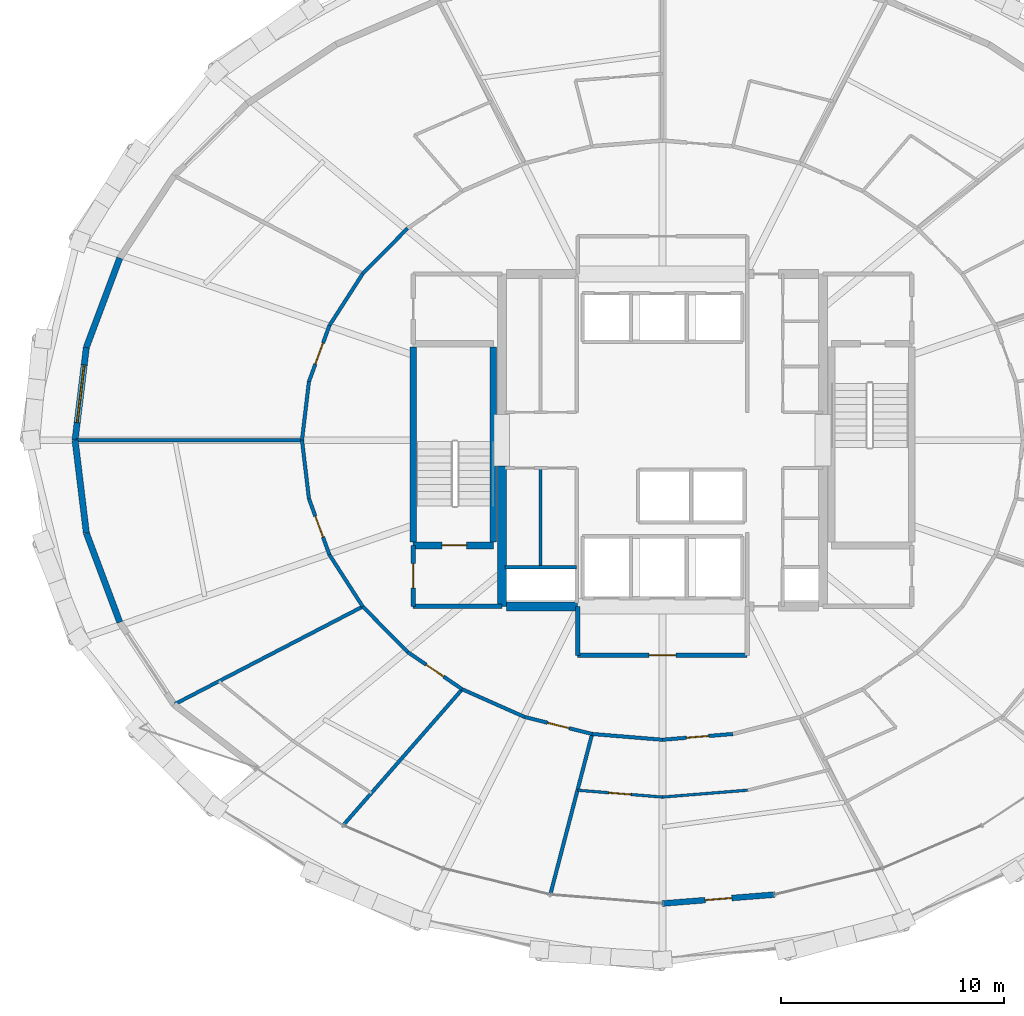
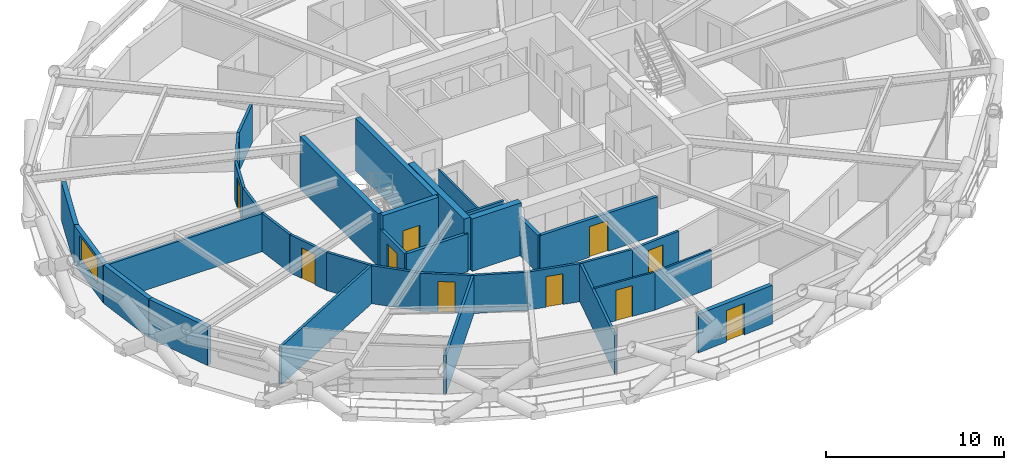
# One storey, part 14 of 20: 35 walls, 10 doors, 1 window, 11 openings.
"""IFC4 building model written with IfcOpenShell, lengths in metres."""

from ifc_helpers import new_model, si_unit, direction, frame, frame_2d, origin, place, context, subcontext, project, spatial, rectangle, extrude, material, layer, layer_set, type_object, element, fill, save


model = new_model("IFC4")

# Units and contexts
model_context = context("Model", 3, precision=1e-05, world=origin(), true_north=direction((0.0, 1.0)))
body_context = subcontext(model_context, "Body", "Model", "MODEL_VIEW")
ifc_project = project(units=[si_unit("LENGTHUNIT", "METRE"), si_unit("AREAUNIT", "SQUARE_METRE"), si_unit("VOLUMEUNIT", "CUBIC_METRE"), si_unit("PLANEANGLEUNIT", "RADIAN"), si_unit("MASSUNIT", "GRAM", prefix="KILO")], contexts=[model_context])

# Site, building, storey
site_placement = place(None, origin())
site = spatial("IfcSite", under=ifc_project, at=site_placement, CompositionType="ELEMENT")
building_placement = place(site_placement, origin())
building = spatial("IfcBuilding", under=site, at=building_placement, Name="Veldorina Hangang Commons", CompositionType="ELEMENT")
storey_placement = place(building_placement, frame((0.0, 0.0, 48.39990234375)))
storey = spatial("IfcBuildingStorey", under=building, at=storey_placement, Name="L11", CompositionType="ELEMENT", Elevation=48.39990234375)

# Walls
ifc_material_1 = material(Name="Concrete C70/85", Category="concrete")
ifc_layer_1 = layer(ifc_material_1, 0.39990234375)
ifc_layer_set_1 = layer_set([ifc_layer_1], Name="Concrete C70/85")
wall_type_1 = type_object("IfcWallType", Name="CW-RC400-C70", PredefinedType="SHEAR", material=ifc_layer_set_1)
wall_1_placement = place(storey_placement, frame((24.800048828125, 16.550048828125, 0.0), z_axis=(0.0, 0.0, 1.0), x_axis=(0.0, 1.0, 0.0)))
element("IfcWall", 1, at=wall_1_placement, inside=storey, type_object=wall_type_1, Name="L11 W south core shear wall", PredefinedType="SHEAR", context=body_context, shape_type="SweptSolid", body=[
    extrude(rectangle(XDim=6.300048828125, YDim=0.39990234375, at=frame_2d((3.14990234375, 0.0))), origin(), (0.0, 0.0, 1.0), 3.60009765625),
])
wall_2_placement = place(storey_placement, frame((25.0, 16.550048828125, 0.0), z_axis=(0.0, 0.0, 1.0), x_axis=(1.0, 0.0, 0.0)))
element("IfcWall", 2, at=wall_2_placement, inside=storey, type_object=wall_type_1, Name="L11 south-west core shear wall", PredefinedType="SHEAR", context=body_context, shape_type="SweptSolid", body=[
    extrude(rectangle(XDim=3.199951171875, YDim=0.39990234375, at=frame_2d((1.60009765625, 0.0))), origin(), (0.0, 0.0, 1.0), 3.60009765625),
])

# Wall, opening, door
ifc_material_2 = material(Name="Stone Roman Travertine", Category="masonry")
ifc_layer_2 = layer(ifc_material_2, 0.260009765625)
ifc_layer_set_2 = layer_set([ifc_layer_2], Name="Stone Roman Travertine")
wall_type_2 = type_object("IfcWallType", Name="EW-LOGGIA-260", PredefinedType="STANDARD", material=ifc_layer_set_2)
wall_3_placement = place(storey_placement, frame((32.0, 3.221923828125, 0.0), z_axis=(0.0, 0.0, 1.0), x_axis=(0.996864786715, 0.079123934476, 0.0)))
wall_3 = element("IfcWall", 3, at=wall_3_placement, inside=storey, type_object=wall_type_2, Name="L11 sky-garden loggia portal wall 24", PredefinedType="STANDARD", context=body_context, shape_type="SweptSolid", body=[
    extrude(rectangle(XDim=5.044921875, YDim=0.260009765625, at=frame_2d((2.5224609375, 0.0))), origin(), (0.0, 0.0, 1.0), 2.650146484375),
])
opening_1_placement = place(wall_3_placement, frame((1.92236328125, 0.0, 0.0)))
opening_1 = element("IfcOpeningElement", 4, at=opening_1_placement, cuts=wall_3, Name="Opening BD-1200", PredefinedType="OPENING", context=body_context, shape_type="SweptSolid", body=[
    extrude(rectangle(XDim=1.199951171875, YDim=2.14990234375, at=frame_2d((0.60009765625, 1.074951171875))), frame((0.0, 0.14013671875, 0.0), z_axis=(0.0, -1.0, 0.0), x_axis=(1.0, 0.0, 0.0)), (0.0, 0.0, 1.0), 0.280029296875),
])
ifc_material_3 = material(Name="Glass Thermal Aluminium Frame", Category="aluminium")
door_type_1 = type_object("IfcDoorType", Name="DR-EXT-LOG1200", OperationType="SINGLE_SWING_LEFT", PredefinedType="DOOR", material=ifc_material_3)
door_1_placement = place(opening_1_placement, origin())
door_1 = element("IfcDoor", 5, at=door_1_placement, inside=storey, type_object=door_type_1, Name="L11 loggia glazed exterior door 24", OperationType="SINGLE_SWING_LEFT", OverallHeight=2.14990234375, OverallWidth=1.199951171875, PredefinedType="DOOR", context=body_context, shape_type="SweptSolid", body=[
    extrude(rectangle(XDim=1.199951171875, YDim=2.14990234375, at=frame_2d((0.60009765625, 1.074951171875))), frame((0.0, 0.02490234375, 0.0), z_axis=(0.0, -1.0, 0.0), x_axis=(1.0, 0.0, 0.0)), (0.0, 0.0, 1.0), 0.050048828125),
])
fill(opening_1, door_1)

# Wall
ifc_layer_3 = layer(ifc_material_2, 0.280029296875)
ifc_layer_set_3 = layer_set([ifc_layer_3], Name="Stone Roman Travertine")
wall_type_3 = type_object("IfcWallType", Name="EW-TRAV-280", PredefinedType="STANDARD", material=ifc_layer_set_3)
wall_4_placement = place(storey_placement, frame((7.6669921875, 32.165771484375, 0.0), z_axis=(0.0, 0.0, 1.0), x_axis=(-0.350647673381, -0.936507452802, 0.0)))
element("IfcWall", 6, at=wall_4_placement, inside=storey, type_object=wall_type_3, Name="L11 travertine facade wall 14", PredefinedType="STANDARD", context=body_context, shape_type="SweptSolid", body=[
    extrude(rectangle(XDim=4.2744140625, YDim=0.280029296875, at=frame_2d((2.13720703125, 0.0))), origin(), (0.0, 0.0, 1.0), 2.650146484375),
])

# Wall, opening, window
wall_5_placement = place(storey_placement, frame((6.168212890625, 28.162841796875, 0.0), z_axis=(0.0, 0.0, 1.0), x_axis=(-0.120687785898, -0.992690514881, 0.0)))
wall_5 = element("IfcWall", 7, at=wall_5_placement, inside=storey, type_object=wall_type_3, Name="L11 travertine facade wall 15", PredefinedType="STANDARD", context=body_context, shape_type="SweptSolid", body=[
    extrude(rectangle(XDim=4.193603515625, YDim=0.280029296875, at=frame_2d((2.0966796875, 0.0))), origin(), (0.0, 0.0, 1.0), 2.650146484375),
])
opening_2_placement = place(wall_5_placement, frame((0.796630859375, 0.0, 0.800048828125)))
opening_2 = element("IfcOpeningElement", 8, at=opening_2_placement, cuts=wall_5, Name="Opening W-02", PredefinedType="OPENING", context=body_context, shape_type="SweptSolid", body=[
    extrude(rectangle(XDim=2.60009765625, YDim=1.64990234375, at=frame_2d((1.300048828125, 0.824951171875))), frame((0.0, 0.14990234375, 0.0), z_axis=(0.0, -1.0, 0.0), x_axis=(1.0, 0.0, 0.0)), (0.0, 0.0, 1.0), 0.300048828125),
])
ifc_material_4 = material(Name="Glass Low-E Triple IGU", Category="glass")
window_type = type_object("IfcWindowType", Name="WIN-TWR-2600", PartitioningType="SINGLE_PANEL", PredefinedType="WINDOW", material=ifc_material_4)
window_placement = place(opening_2_placement, origin())
window = element("IfcWindow", 9, at=window_placement, inside=storey, type_object=window_type, Name="L11 facade window 15", OverallHeight=1.64990234375, OverallWidth=2.60009765625, PartitioningType="SINGLE_PANEL", PredefinedType="WINDOW", context=body_context, shape_type="SweptSolid", body=[
    extrude(rectangle(XDim=2.60009765625, YDim=1.64990234375, at=frame_2d((1.300048828125, 0.824951171875))), frame((0.0, 0.030029296875, 0.0), z_axis=(0.0, -1.0, 0.0), x_axis=(1.0, 0.0, 0.0)), (0.0, 0.0, 1.0), 0.06005859375),
])
fill(opening_2, window)

# Walls
wall_6_placement = place(storey_placement, frame((5.662109375, 24.0, 0.0), z_axis=(0.0, 0.0, 1.0), x_axis=(0.120687785898, -0.992690514881, 0.0)))
element("IfcWall", 10, at=wall_6_placement, inside=storey, type_object=wall_type_3, Name="L11 travertine facade wall 16", PredefinedType="STANDARD", context=body_context, shape_type="SweptSolid", body=[
    extrude(rectangle(XDim=4.193603515625, YDim=0.280029296875, at=frame_2d((2.0966796875, 0.0))), origin(), (0.0, 0.0, 1.0), 2.650146484375),
])
wall_7_placement = place(storey_placement, frame((6.168212890625, 19.837158203125, 0.0), z_axis=(0.0, 0.0, 1.0), x_axis=(0.350647673381, -0.936507452802, 0.0)))
element("IfcWall", 11, at=wall_7_placement, inside=storey, type_object=wall_type_3, Name="L11 travertine facade wall 17", PredefinedType="STANDARD", context=body_context, shape_type="SweptSolid", body=[
    extrude(rectangle(XDim=4.2744140625, YDim=0.280029296875, at=frame_2d((2.13720703125, 0.0))), origin(), (0.0, 0.0, 1.0), 2.650146484375),
])
ifc_material_5 = material(Name="Concrete C50/60", Category="concrete")
ifc_layer_4 = layer(ifc_material_5, 0.300048828125)
ifc_layer_set_4 = layer_set([ifc_layer_4], Name="Concrete C50/60")
wall_type_4 = type_object("IfcWallType", Name="SW-STAIR-300", PredefinedType="SHEAR", material=ifc_layer_set_4)
for number, where, z_axis, x_axis, name in (
    (12, (20.820068359375, 19.429931640625, 0.0), (0.0, 0.0, 1.0), (0.0, 1.0, 0.0), "L11 ST1 outer stair shear wall"),
    (13, (24.419921875, 19.429931640625, 0.0), (0.0, 0.0, 1.0), (0.0, 1.0, 0.0), "L11 ST1 inner stair shear wall"),
):
    element("IfcWall", number, at=place(storey_placement, frame(where, z_axis=z_axis, x_axis=x_axis)), inside=storey, type_object=wall_type_4, Name=name, PredefinedType="SHEAR", context=body_context, shape_type="SweptSolid", body=[
        extrude(rectangle(XDim=8.739990234375, YDim=0.300048828125, at=frame_2d((4.3701171875, 0.0))), origin(), (0.0, 0.0, 1.0), 3.60009765625),
    ])

# Wall, opening, door
wall_8_placement = place(storey_placement, frame((20.820068359375, 19.280029296875, 0.0), z_axis=(0.0, 0.0, 1.0), x_axis=(1.0, 0.0, 0.0)))
wall_8 = element("IfcWall", 14, at=wall_8_placement, inside=storey, type_object=wall_type_4, Name="L11 ST1 south stair shear wall", PredefinedType="SHEAR", context=body_context, shape_type="SweptSolid", body=[
    extrude(rectangle(XDim=3.599853515625, YDim=0.300048828125, at=frame_2d((1.7998046875, 0.0))), origin(), (0.0, 0.0, 1.0), 3.60009765625),
])
opening_3_placement = place(wall_8_placement, frame((1.300048828125, 0.0, 0.0)))
opening_3 = element("IfcOpeningElement", 15, at=opening_3_placement, cuts=wall_8, Name="Opening D-08", PredefinedType="OPENING", context=body_context, shape_type="SweptSolid", body=[
    extrude(rectangle(XDim=1.10009765625, YDim=2.10009765625, at=frame_2d((0.550048828125, 1.050048828125))), frame((0.0, 0.16015625, 0.0), z_axis=(0.0, -1.0, 0.0), x_axis=(1.0, 0.0, 0.0)), (0.0, 0.0, 1.0), 0.320068359375),
])
ifc_material_6 = material(Name="Steel Fire-Rated Smoke Seal", Category="steel")
door_type_2 = type_object("IfcDoorType", Name="DR-FIRE-1100", OperationType="SINGLE_SWING_RIGHT", PredefinedType="DOOR", material=ifc_material_6)
door_2_placement = place(opening_3_placement, origin())
door_2 = element("IfcDoor", 16, at=door_2_placement, inside=storey, type_object=door_type_2, Name="L11 Special Escape Stair ST-1 door", OperationType="SINGLE_SWING_LEFT", OverallHeight=2.10009765625, OverallWidth=1.10009765625, PredefinedType="DOOR", context=body_context, shape_type="SweptSolid", body=[
    extrude(rectangle(XDim=1.10009765625, YDim=2.10009765625, at=frame_2d((0.550048828125, 1.050048828125))), frame((0.0, 0.02490234375, 0.0), z_axis=(0.0, -1.0, 0.0), x_axis=(1.0, 0.0, 0.0)), (0.0, 0.0, 1.0), 0.050048828125),
])
fill(opening_3, door_2)

# Walls
ifc_material_7 = material(Name="Gypsum Fire-Rated Twin Stud Wall", Category="gypsum")
ifc_layer_5 = layer(ifc_material_7, 0.159912109375)
ifc_layer_set_5 = layer_set([ifc_layer_5], Name="Gypsum Fire-Rated Twin Stud Wall")
wall_type_5 = type_object("IfcWallType", Name="WL-FIRE-160", PredefinedType="SOLIDWALL", material=ifc_layer_set_5)
wall_9_placement = place(storey_placement, frame((24.949951171875, 18.300048828125, 0.0), z_axis=(0.0, 0.0, 1.0), x_axis=(1.0, 0.0, 0.0)))
element("IfcWall", 17, at=wall_9_placement, inside=storey, type_object=wall_type_5, Name="L11 Electrical riser wall 035", PredefinedType="SOLIDWALL", context=body_context, shape_type="SweptSolid", body=[
    extrude(rectangle(XDim=3.199951171875, YDim=0.159912109375, at=frame_2d((1.60009765625, 0.0))), origin(), (0.0, 0.0, 1.0), 2.610107421875),
])
wall_10_placement = place(storey_placement, frame((20.57177734375, 33.499267578125, 0.0), z_axis=(0.0, 0.0, 1.0), x_axis=(-0.702569520063, -0.711615113301, 0.0)))
element("IfcWall", 18, at=wall_10_placement, inside=storey, type_object=wall_type_5, Name="L11 Corridor outer wall 12 062", PredefinedType="SOLIDWALL", context=body_context, shape_type="SweptSolid", body=[
    extrude(rectangle(XDim=2.86083984375, YDim=0.159912109375, at=frame_2d((1.430419921875, 0.0))), origin(), (0.0, 0.0, 1.0), 2.610107421875),
])
wall_11_placement = place(storey_placement, frame((18.561767578125, 31.46337890625, 0.0), z_axis=(0.0, 0.0, 1.0), x_axis=(-0.540891657444, -0.841092274907, 0.0)))
element("IfcWall", 19, at=wall_11_placement, inside=storey, type_object=wall_type_5, Name="L11 Corridor outer wall 13 063", PredefinedType="SOLIDWALL", context=body_context, shape_type="SweptSolid", body=[
    extrude(rectangle(XDim=2.760986328125, YDim=0.159912109375, at=frame_2d((1.38037109375, 0.0))), origin(), (0.0, 0.0, 1.0), 2.610107421875),
])

# Wall, opening, door
wall_12_placement = place(storey_placement, frame((17.068359375, 29.14111328125, 0.0), z_axis=(0.0, 0.0, 1.0), x_axis=(-0.342882618672, -0.939378257047, 0.0)))
wall_12 = element("IfcWall", 20, at=wall_12_placement, inside=storey, type_object=wall_type_5, Name="L11 Corridor outer wall 14 064", PredefinedType="SOLIDWALL", context=body_context, shape_type="SweptSolid", body=[
    extrude(rectangle(XDim=2.682861328125, YDim=0.159912109375, at=frame_2d((1.34130859375, 0.0))), origin(), (0.0, 0.0, 1.0), 2.610107421875),
])
opening_4_placement = place(wall_12_placement, frame((0.84130859375, 0.0, 0.0)))
opening_4 = element("IfcOpeningElement", 21, at=opening_4_placement, cuts=wall_12, Name="Opening D-05", PredefinedType="OPENING", context=body_context, shape_type="SweptSolid", body=[
    extrude(rectangle(XDim=1.0, YDim=2.10009765625, at=frame_2d((0.5, 1.050048828125))), frame((0.0, 0.08984375, 0.0), z_axis=(0.0, -1.0, 0.0), x_axis=(1.0, 0.0, 0.0)), (0.0, 0.0, 1.0), 0.179931640625),
])
ifc_material_8 = material(Name="Timber Solid Core Acoustic", Category="wood")
door_type_3 = type_object("IfcDoorType", Name="DR-INT-1000", OperationType="SINGLE_SWING_RIGHT", PredefinedType="DOOR", material=ifc_material_8)
door_3_placement = place(opening_4_placement, origin())
door_3 = element("IfcDoor", 22, at=door_3_placement, inside=storey, type_object=door_type_3, Name="L11 Floor Study Room 10 door 042", OperationType="SINGLE_SWING_RIGHT", OverallHeight=2.10009765625, OverallWidth=1.0, PredefinedType="DOOR", context=body_context, shape_type="SweptSolid", body=[
    extrude(rectangle(XDim=1.0, YDim=2.10009765625, at=frame_2d((0.5, 1.050048828125))), frame((0.0, 0.02490234375, 0.0), z_axis=(0.0, -1.0, 0.0), x_axis=(1.0, 0.0, 0.0)), (0.0, 0.0, 1.0), 0.050048828125),
])
fill(opening_4, door_3)

# Walls
for number, where, z_axis, x_axis, name in (
    (23, (16.1484375, 26.620849609375, 0.0), (0.0, 0.0, 1.0), (-0.117667763342, -0.993053018459, 0.0), "L11 Corridor outer wall 15 065"),
    (24, (15.837890625, 24.0, 0.0), (0.0, 0.0, 1.0), (0.117667763342, -0.993053018459, 0.0), "L11 Corridor outer wall 16 066"),
):
    element("IfcWall", number, at=place(storey_placement, frame(where, z_axis=z_axis, x_axis=x_axis)), inside=storey, type_object=wall_type_5, Name=name, PredefinedType="SOLIDWALL", context=body_context, shape_type="SweptSolid", body=[
        extrude(rectangle(XDim=2.63916015625, YDim=0.159912109375, at=frame_2d((1.319580078125, 0.0))), origin(), (0.0, 0.0, 1.0), 2.610107421875),
    ])

# Wall, opening, door
wall_13_placement = place(storey_placement, frame((16.1484375, 21.379150390625, 0.0), z_axis=(0.0, 0.0, 1.0), x_axis=(0.342882618672, -0.939378257047, 0.0)))
wall_13 = element("IfcWall", 25, at=wall_13_placement, inside=storey, type_object=wall_type_5, Name="L11 Corridor outer wall 17 067", PredefinedType="SOLIDWALL", context=body_context, shape_type="SweptSolid", body=[
    extrude(rectangle(XDim=2.682861328125, YDim=0.159912109375, at=frame_2d((1.34130859375, 0.0))), origin(), (0.0, 0.0, 1.0), 2.610107421875),
])
opening_5_placement = place(wall_13_placement, frame((0.84130859375, 0.0, 0.0)))
opening_5 = element("IfcOpeningElement", 26, at=opening_5_placement, cuts=wall_13, Name="Opening D-05", PredefinedType="OPENING", context=body_context, shape_type="SweptSolid", body=[
    extrude(rectangle(XDim=1.0, YDim=2.10009765625, at=frame_2d((0.5, 1.050048828125))), frame((0.0, 0.08984375, 0.0), z_axis=(0.0, -1.0, 0.0), x_axis=(1.0, 0.0, 0.0)), (0.0, 0.0, 1.0), 0.179931640625),
])
door_4_placement = place(opening_5_placement, origin())
door_4 = element("IfcDoor", 27, at=door_4_placement, inside=storey, type_object=door_type_3, Name="L11 Floor Study Room 11 door 043", OperationType="SINGLE_SWING_LEFT", OverallHeight=2.10009765625, OverallWidth=1.0, PredefinedType="DOOR", context=body_context, shape_type="SweptSolid", body=[
    extrude(rectangle(XDim=1.0, YDim=2.10009765625, at=frame_2d((0.5, 1.050048828125))), frame((0.0, 0.02490234375, 0.0), z_axis=(0.0, -1.0, 0.0), x_axis=(1.0, 0.0, 0.0)), (0.0, 0.0, 1.0), 0.050048828125),
])
fill(opening_5, door_4)

# Walls
wall_14_placement = place(storey_placement, frame((17.068359375, 18.85888671875, 0.0), z_axis=(0.0, 0.0, 1.0), x_axis=(0.540891657444, -0.841092274907, 0.0)))
element("IfcWall", 28, at=wall_14_placement, inside=storey, type_object=wall_type_5, Name="L11 Corridor outer wall 18 068", PredefinedType="SOLIDWALL", context=body_context, shape_type="SweptSolid", body=[
    extrude(rectangle(XDim=2.760986328125, YDim=0.159912109375, at=frame_2d((1.38037109375, 0.0))), origin(), (0.0, 0.0, 1.0), 2.610107421875),
])
wall_15_placement = place(storey_placement, frame((18.561767578125, 16.53662109375, 0.0), z_axis=(0.0, 0.0, 1.0), x_axis=(0.702569520063, -0.711615113301, 0.0)))
element("IfcWall", 29, at=wall_15_placement, inside=storey, type_object=wall_type_5, Name="L11 Corridor outer wall 19 069", PredefinedType="SOLIDWALL", context=body_context, shape_type="SweptSolid", body=[
    extrude(rectangle(XDim=2.86083984375, YDim=0.159912109375, at=frame_2d((1.430419921875, 0.0))), origin(), (0.0, 0.0, 1.0), 2.610107421875),
])

# Wall, opening, door
wall_16_placement = place(storey_placement, frame((20.57177734375, 14.500732421875, 0.0), z_axis=(0.0, 0.0, 1.0), x_axis=(0.826112340767, -0.563505457323, 0.0)))
wall_16 = element("IfcWall", 30, at=wall_16_placement, inside=storey, type_object=wall_type_5, Name="L11 Corridor outer wall 20 070", PredefinedType="SOLIDWALL", context=body_context, shape_type="SweptSolid", body=[
    extrude(rectangle(XDim=2.96484375, YDim=0.159912109375, at=frame_2d((1.482421875, 0.0))), origin(), (0.0, 0.0, 1.0), 2.610107421875),
])
opening_6_placement = place(wall_16_placement, frame((1.00732421875, 0.0, 0.0)))
opening_6 = element("IfcOpeningElement", 31, at=opening_6_placement, cuts=wall_16, Name="Opening D-02", PredefinedType="OPENING", context=body_context, shape_type="SweptSolid", body=[
    extrude(rectangle(XDim=0.949951171875, YDim=2.10009765625, at=frame_2d((0.47509765625, 1.050048828125))), frame((0.0, 0.08984375, 0.0), z_axis=(0.0, -1.0, 0.0), x_axis=(1.0, 0.0, 0.0)), (0.0, 0.0, 1.0), 0.179931640625),
])
door_type_4 = type_object("IfcDoorType", Name="DR-INT-950", OperationType="SINGLE_SWING_LEFT", PredefinedType="DOOR", material=ifc_material_8)
door_5_placement = place(opening_6_placement, origin())
door_5 = element("IfcDoor", 32, at=door_5_placement, inside=storey, type_object=door_type_4, Name="L11 Linen drying store door 044", OperationType="SINGLE_SWING_RIGHT", OverallHeight=2.10009765625, OverallWidth=0.949951171875, PredefinedType="DOOR", context=body_context, shape_type="SweptSolid", body=[
    extrude(rectangle(XDim=0.949951171875, YDim=2.10009765625, at=frame_2d((0.47509765625, 1.050048828125))), frame((0.0, 0.02490234375, 0.0), z_axis=(0.0, -1.0, 0.0), x_axis=(1.0, 0.0, 0.0)), (0.0, 0.0, 1.0), 0.050048828125),
])
fill(opening_6, door_5)

# Wall
wall_17_placement = place(storey_placement, frame((23.02099609375, 12.830078125, 0.0), z_axis=(0.0, 0.0, 1.0), x_axis=(0.913860932409, -0.406027334321, 0.0)))
element("IfcWall", 33, at=wall_17_placement, inside=storey, type_object=wall_type_5, Name="L11 Corridor outer wall 21 071", PredefinedType="SOLIDWALL", context=body_context, shape_type="SweptSolid", body=[
    extrude(rectangle(XDim=3.0576171875, YDim=0.159912109375, at=frame_2d((1.52880859375, 0.0))), origin(), (0.0, 0.0, 1.0), 2.610107421875),
])

# Wall, opening, door
wall_18_placement = place(storey_placement, frame((25.815185546875, 11.588623046875, 0.0), z_axis=(0.0, 0.0, 1.0), x_axis=(0.969653665365, -0.244482656326, 0.0)))
wall_18 = element("IfcWall", 34, at=wall_18_placement, inside=storey, type_object=wall_type_5, Name="L11 Corridor outer wall 22 072", PredefinedType="SOLIDWALL", context=body_context, shape_type="SweptSolid", body=[
    extrude(rectangle(XDim=3.126708984375, YDim=0.159912109375, at=frame_2d((1.5634765625, 0.0))), origin(), (0.0, 0.0, 1.0), 2.610107421875),
])
opening_7_placement = place(wall_18_placement, frame((1.0634765625, 0.0, 0.0)))
opening_7 = element("IfcOpeningElement", 35, at=opening_7_placement, cuts=wall_18, Name="Opening D-05", PredefinedType="OPENING", context=body_context, shape_type="SweptSolid", body=[
    extrude(rectangle(XDim=1.0, YDim=2.10009765625, at=frame_2d((0.5, 1.050048828125))), frame((0.0, 0.08984375, 0.0), z_axis=(0.0, -1.0, 0.0), x_axis=(1.0, 0.0, 0.0)), (0.0, 0.0, 1.0), 0.179931640625),
])
door_6_placement = place(opening_7_placement, origin())
door_6 = element("IfcDoor", 36, at=door_6_placement, inside=storey, type_object=door_type_3, Name="L11 Seminar Focus Room 13 door 046", OperationType="SINGLE_SWING_RIGHT", OverallHeight=2.10009765625, OverallWidth=1.0, PredefinedType="DOOR", context=body_context, shape_type="SweptSolid", body=[
    extrude(rectangle(XDim=1.0, YDim=2.10009765625, at=frame_2d((0.5, 1.050048828125))), frame((0.0, 0.02490234375, 0.0), z_axis=(0.0, -1.0, 0.0), x_axis=(1.0, 0.0, 0.0)), (0.0, 0.0, 1.0), 0.050048828125),
])
fill(opening_7, door_6)

# Wall
wall_19_placement = place(storey_placement, frame((28.846923828125, 10.82421875, 0.0), z_axis=(0.0, 0.0, 1.0), x_axis=(0.996661331307, -0.081646743207, 0.0)))
element("IfcWall", 37, at=wall_19_placement, inside=storey, type_object=wall_type_5, Name="L11 Corridor outer wall 23 073", PredefinedType="SOLIDWALL", context=body_context, shape_type="SweptSolid", body=[
    extrude(rectangle(XDim=3.16357421875, YDim=0.159912109375, at=frame_2d((1.581787109375, 0.0))), origin(), (0.0, 0.0, 1.0), 2.610107421875),
])

# Wall, opening, door
wall_20_placement = place(storey_placement, frame((32.0, 10.56591796875, 0.0), z_axis=(0.0, 0.0, 1.0), x_axis=(0.996661331307, 0.081646743207, 0.0)))
wall_20 = element("IfcWall", 38, at=wall_20_placement, inside=storey, type_object=wall_type_5, Name="L11 Corridor outer wall 24 074", PredefinedType="SOLIDWALL", context=body_context, shape_type="SweptSolid", body=[
    extrude(rectangle(XDim=3.16357421875, YDim=0.159912109375, at=frame_2d((1.581787109375, 0.0))), origin(), (0.0, 0.0, 1.0), 2.610107421875),
])
opening_8_placement = place(wall_20_placement, frame((1.081787109375, 0.0, 0.0)))
opening_8 = element("IfcOpeningElement", 39, at=opening_8_placement, cuts=wall_20, Name="Opening D-05", PredefinedType="OPENING", context=body_context, shape_type="SweptSolid", body=[
    extrude(rectangle(XDim=1.0, YDim=2.10009765625, at=frame_2d((0.5, 1.050048828125))), frame((0.0, 0.08984375, 0.0), z_axis=(0.0, -1.0, 0.0), x_axis=(1.0, 0.0, 0.0)), (0.0, 0.0, 1.0), 0.179931640625),
])
door_7_placement = place(opening_8_placement, origin())
door_7 = element("IfcDoor", 40, at=door_7_placement, inside=storey, type_object=door_type_3, Name="L11 Commons alcove door 022", OperationType="SINGLE_SWING_RIGHT", OverallHeight=2.10009765625, OverallWidth=1.0, PredefinedType="DOOR", context=body_context, shape_type="SweptSolid", body=[
    extrude(rectangle(XDim=1.0, YDim=2.10009765625, at=frame_2d((0.5, 1.050048828125))), frame((0.0, 0.02490234375, 0.0), z_axis=(0.0, -1.0, 0.0), x_axis=(1.0, 0.0, 0.0)), (0.0, 0.0, 1.0), 0.050048828125),
])
fill(opening_8, door_7)

# Walls
wall_21_placement = place(storey_placement, frame((28.846923828125, 10.82421875, 0.0), z_axis=(0.0, 0.0, 1.0), x_axis=(-0.252026659799, -0.967720291588, 0.0)))
element("IfcWall", 41, at=wall_21_placement, inside=storey, type_object=wall_type_5, Name="L11 Unit party wall 23 082", PredefinedType="SOLIDWALL", context=body_context, shape_type="SweptSolid", body=[
    extrude(rectangle(XDim=7.393310546875, YDim=0.159912109375, at=frame_2d((3.69677734375, 0.0))), origin(), (0.0, 0.0, 1.0), 2.610107421875),
])
wall_22_placement = place(storey_placement, frame((15.837890625, 24.0, 0.0), z_axis=(0.0, 0.0, 1.0), x_axis=(-1.0, 0.0, 0.0)))
element("IfcWall", 42, at=wall_22_placement, inside=storey, type_object=wall_type_5, Name="L11 Unit party wall 16 114", PredefinedType="SOLIDWALL", context=body_context, shape_type="SweptSolid", body=[
    extrude(rectangle(XDim=10.1259765625, YDim=0.159912109375, at=frame_2d((5.06298828125, 0.0))), origin(), (0.0, 0.0, 1.0), 2.610107421875),
])
wall_23_placement = place(storey_placement, frame((18.561767578125, 16.53662109375, 0.0), z_axis=(0.0, 0.0, 1.0), x_axis=(-0.887569366449, -0.460674092762, 0.0)))
element("IfcWall", 43, at=wall_23_placement, inside=storey, type_object=wall_type_5, Name="L11 Unit party wall 19 115", PredefinedType="SOLIDWALL", context=body_context, shape_type="SweptSolid", body=[
    extrude(rectangle(XDim=9.482666015625, YDim=0.159912109375, at=frame_2d((4.7412109375, 0.0))), origin(), (0.0, 0.0, 1.0), 2.610107421875),
])
wall_24_placement = place(storey_placement, frame((23.02099609375, 12.830078125, 0.0), z_axis=(0.0, 0.0, 1.0), x_axis=(-0.658457449962, -0.752617955267, 0.0)))
element("IfcWall", 44, at=wall_24_placement, inside=storey, type_object=wall_type_5, Name="L11 Unit party wall 21 118", PredefinedType="SOLIDWALL", context=body_context, shape_type="SweptSolid", body=[
    extrude(rectangle(XDim=8.063720703125, YDim=0.159912109375, at=frame_2d((4.03173828125, 0.0))), origin(), (0.0, 0.0, 1.0), 2.610107421875),
])

# Wall, opening, door
ifc_material_9 = material(Name="Concrete Blockwork Fire Wall C30/37", Category="masonry")
ifc_layer_6 = layer(ifc_material_9, 0.199951171875)
ifc_layer_set_6 = layer_set([ifc_layer_6], Name="Concrete Blockwork Fire Wall C30/37")
wall_type_6 = type_object("IfcWallType", Name="WL-FIRE-200", PredefinedType="SOLIDWALL", material=ifc_layer_set_6)
wall_25_placement = place(storey_placement, frame((20.820068359375, 16.550048828125, 0.0), z_axis=(0.0, 0.0, 1.0), x_axis=(0.0, 1.0, 0.0)))
wall_25 = element("IfcWall", 45, at=wall_25_placement, inside=storey, type_object=wall_type_6, Name="L11 West vestibule outer wall 001", PredefinedType="SOLIDWALL", context=body_context, shape_type="SweptSolid", body=[
    extrude(rectangle(XDim=2.72998046875, YDim=0.199951171875, at=frame_2d((1.364990234375, 0.0))), origin(), (0.0, 0.0, 1.0), 2.610107421875),
])
opening_9_placement = place(wall_25_placement, frame((0.81494140625, 0.0, 0.0)))
opening_9 = element("IfcOpeningElement", 46, at=opening_9_placement, cuts=wall_25, Name="Opening D-08", PredefinedType="OPENING", context=body_context, shape_type="SweptSolid", body=[
    extrude(rectangle(XDim=1.10009765625, YDim=2.10009765625, at=frame_2d((0.550048828125, 1.050048828125))), frame((0.0, 0.10986328125, 0.0), z_axis=(0.0, -1.0, 0.0), x_axis=(1.0, 0.0, 0.0)), (0.0, 0.0, 1.0), 0.219970703125),
])
door_8_placement = place(opening_9_placement, origin())
door_8 = element("IfcDoor", 47, at=door_8_placement, inside=storey, type_object=door_type_2, Name="L11 West vestibule west door 001", OperationType="SINGLE_SWING_LEFT", OverallHeight=2.10009765625, OverallWidth=1.10009765625, PredefinedType="DOOR", context=body_context, shape_type="SweptSolid", body=[
    extrude(rectangle(XDim=1.10009765625, YDim=2.10009765625, at=frame_2d((0.550048828125, 1.050048828125))), frame((0.0, 0.02490234375, 0.0), z_axis=(0.0, -1.0, 0.0), x_axis=(1.0, 0.0, 0.0)), (0.0, 0.0, 1.0), 0.050048828125),
])
fill(opening_9, door_8)

# Walls
wall_26_placement = place(storey_placement, frame((20.820068359375, 16.550048828125, 0.0), z_axis=(0.0, 0.0, 1.0), x_axis=(1.0, 0.0, 0.0)))
element("IfcWall", 48, at=wall_26_placement, inside=storey, type_object=wall_type_6, Name="L11 West vestibule south wall 002", PredefinedType="SOLIDWALL", context=body_context, shape_type="SweptSolid", body=[
    extrude(rectangle(XDim=3.97998046875, YDim=0.199951171875, at=frame_2d((1.989990234375, 0.0))), origin(), (0.0, 0.0, 1.0), 2.610107421875),
])
wall_27_placement = place(storey_placement, frame((28.199951171875, 14.35009765625, 0.0), z_axis=(0.0, 0.0, 1.0), x_axis=(0.0, 1.0, 0.0)))
element("IfcWall", 49, at=wall_27_placement, inside=storey, type_object=wall_type_6, Name="L11 FF lobby west wall 012", PredefinedType="SOLIDWALL", context=body_context, shape_type="SweptSolid", body=[
    extrude(rectangle(XDim=2.199951171875, YDim=0.199951171875, at=frame_2d((1.10009765625, 0.0))), origin(), (0.0, 0.0, 1.0), 2.610107421875),
])

# Wall, opening, door
wall_28_placement = place(storey_placement, frame((28.199951171875, 14.35009765625, 0.0), z_axis=(0.0, 0.0, 1.0), x_axis=(1.0, 0.0, 0.0)))
wall_28 = element("IfcWall", 50, at=wall_28_placement, inside=storey, type_object=wall_type_6, Name="L11 FF lobby south wall 014", PredefinedType="SOLIDWALL", context=body_context, shape_type="SweptSolid", body=[
    extrude(rectangle(XDim=7.60009765625, YDim=0.199951171875, at=frame_2d((3.800048828125, 0.0))), origin(), (0.0, 0.0, 1.0), 2.610107421875),
])
opening_10_placement = place(wall_28_placement, frame((3.199951171875, 0.0, 0.0)))
opening_10 = element("IfcOpeningElement", 51, at=opening_10_placement, cuts=wall_28, Name="Opening D-09", PredefinedType="OPENING", context=body_context, shape_type="SweptSolid", body=[
    extrude(rectangle(XDim=1.199951171875, YDim=2.10009765625, at=frame_2d((0.60009765625, 1.050048828125))), frame((0.0, 0.10986328125, 0.0), z_axis=(0.0, -1.0, 0.0), x_axis=(1.0, 0.0, 0.0)), (0.0, 0.0, 1.0), 0.219970703125),
])
ifc_material_10 = material(Name="Steel Fire-Rated Corridor Door", Category="steel")
door_type_5 = type_object("IfcDoorType", Name="DR-FIRE-1200", OperationType="SINGLE_SWING_LEFT", PredefinedType="DOOR", material=ifc_material_10)
door_9_placement = place(opening_10_placement, origin())
door_9 = element("IfcDoor", 52, at=door_9_placement, inside=storey, type_object=door_type_5, Name="L11 FF lobby south corridor door 005", OperationType="SINGLE_SWING_LEFT", OverallHeight=2.10009765625, OverallWidth=1.199951171875, PredefinedType="DOOR", context=body_context, shape_type="SweptSolid", body=[
    extrude(rectangle(XDim=1.199951171875, YDim=2.10009765625, at=frame_2d((0.60009765625, 1.050048828125))), frame((0.0, 0.02490234375, 0.0), z_axis=(0.0, -1.0, 0.0), x_axis=(1.0, 0.0, 0.0)), (0.0, 0.0, 1.0), 0.050048828125),
])
fill(opening_10, door_9)

# Wall
ifc_material_11 = material(Name="Gypsum Acoustic Stud Partition", Category="gypsum")
ifc_layer_7 = layer(ifc_material_11, 0.1201171875)
ifc_layer_set_7 = layer_set([ifc_layer_7], Name="Gypsum Acoustic Stud Partition")
wall_type_7 = type_object("IfcWallType", Name="WL-PART-120", PredefinedType="PARTITIONING", material=ifc_layer_set_7)
wall_29_placement = place(storey_placement, frame((26.530029296875, 18.300048828125, 0.0), z_axis=(0.0, 0.0, 1.0), x_axis=(0.0, 1.0, 0.0)))
element("IfcWall", 53, at=wall_29_placement, inside=storey, type_object=wall_type_7, Name="L11 SW vertical split 046", PredefinedType="PARTITIONING", context=body_context, shape_type="SweptSolid", body=[
    extrude(rectangle(XDim=4.449951171875, YDim=0.1201171875, at=frame_2d((2.22509765625, 0.0))), origin(), (0.0, 0.0, 1.0), 2.610107421875),
])

# Wall, opening, door
wall_30_placement = place(storey_placement, frame((28.1904296875, 8.302978515625, 0.0), z_axis=(0.0, 0.0, 1.0), x_axis=(0.996760817286, -0.080423088244, 0.0)))
wall_30 = element("IfcWall", 54, at=wall_30_placement, inside=storey, type_object=wall_type_7, Name="L11 Lounge alcove split 0 083", PredefinedType="PARTITIONING", context=body_context, shape_type="SweptSolid", body=[
    extrude(rectangle(XDim=3.822021484375, YDim=0.1201171875, at=frame_2d((1.9111328125, 0.0))), origin(), (0.0, 0.0, 1.0), 2.610107421875),
])
opening_11_placement = place(wall_30_placement, frame((1.410888671875, 0.0, 0.0)))
opening_11 = element("IfcOpeningElement", 55, at=opening_11_placement, cuts=wall_30, Name="Opening D-05", PredefinedType="OPENING", context=body_context, shape_type="SweptSolid", body=[
    extrude(rectangle(XDim=1.0, YDim=2.10009765625, at=frame_2d((0.5, 1.050048828125))), frame((0.0, 0.070068359375, 0.0), z_axis=(0.0, -1.0, 0.0), x_axis=(1.0, 0.0, 0.0)), (0.0, 0.0, 1.0), 0.14013671875),
])
door_10_placement = place(opening_11_placement, origin())
door_10 = element("IfcDoor", 56, at=door_10_placement, inside=storey, type_object=door_type_3, Name="L11 Commons lounge door 023", OperationType="SINGLE_SWING_LEFT", OverallHeight=2.10009765625, OverallWidth=1.0, PredefinedType="DOOR", context=body_context, shape_type="SweptSolid", body=[
    extrude(rectangle(XDim=1.0, YDim=2.10009765625, at=frame_2d((0.5, 1.050048828125))), frame((0.0, 0.02490234375, 0.0), z_axis=(0.0, -1.0, 0.0), x_axis=(1.0, 0.0, 0.0)), (0.0, 0.0, 1.0), 0.050048828125),
])
fill(opening_11, door_10)

# Wall
wall_31_placement = place(storey_placement, frame((32.0, 7.99560546875, 0.0), z_axis=(0.0, 0.0, 1.0), x_axis=(0.996760817286, 0.080423088244, 0.0)))
element("IfcWall", 57, at=wall_31_placement, inside=storey, type_object=wall_type_7, Name="L11 Lounge alcove split 1 084", PredefinedType="PARTITIONING", context=body_context, shape_type="SweptSolid", body=[
    extrude(rectangle(XDim=3.822021484375, YDim=0.1201171875, at=frame_2d((1.9111328125, 0.0))), origin(), (0.0, 0.0, 1.0), 2.610107421875),
])

save(model, "model.ifc")
